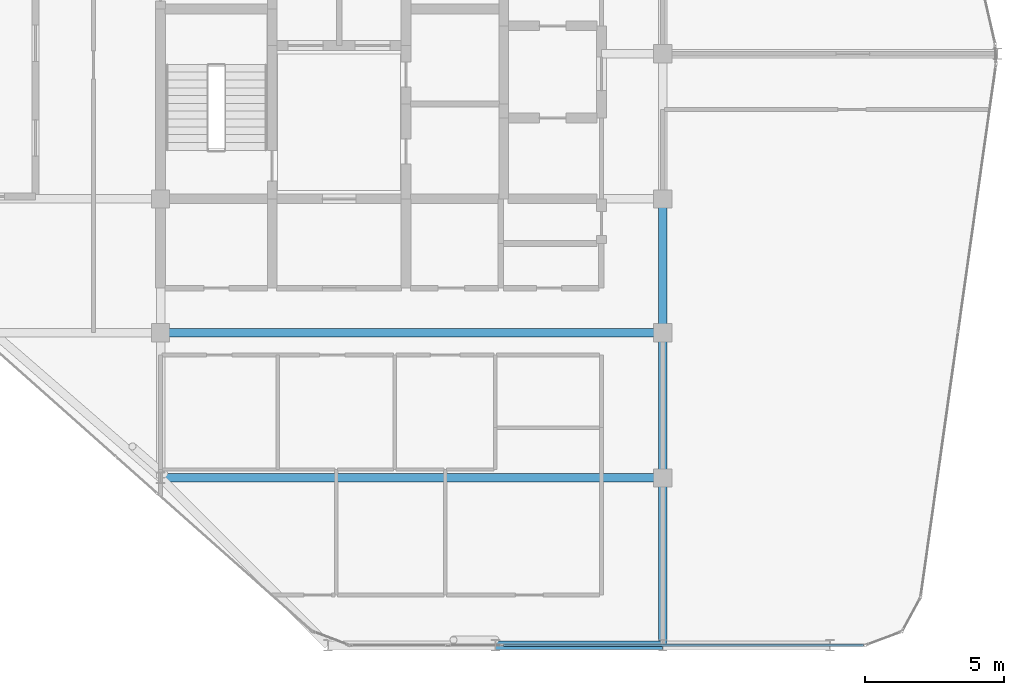
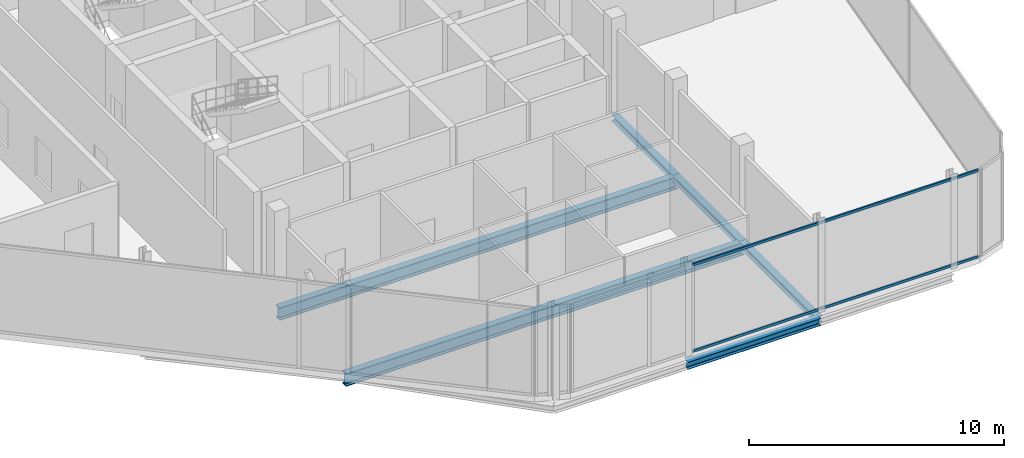
# One storey, part 6 of 24: 6 beams, 2 members, 1 element without a shape of its own.
"""IFC4 building model written with IfcOpenShell, lengths in metres."""

from ifc_helpers import new_model, si_unit, direction, frame, origin, origin_2d, place, context, subcontext, project, spatial, hollow_rectangle, i_section, extrude, material, layer, layer_set, material_profile, profile_set, type_object, element, aggregate, save


model = new_model("IFC4")

# Units and contexts
model_context = context("Model", 3, precision=1e-05, world=origin(), true_north=direction((0.0, 1.0)))
body_context = subcontext(model_context, "Body", "Model", "MODEL_VIEW")
ifc_project = project(units=[si_unit("LENGTHUNIT", "METRE"), si_unit("AREAUNIT", "SQUARE_METRE"), si_unit("VOLUMEUNIT", "CUBIC_METRE"), si_unit("PLANEANGLEUNIT", "RADIAN"), si_unit("MASSUNIT", "GRAM", prefix="KILO")], contexts=[model_context])

# Site, building, storey
site_placement = place(None, origin())
site = spatial("IfcSite", under=ifc_project, at=site_placement, CompositionType="ELEMENT")
building_placement = place(site_placement, origin())
building = spatial("IfcBuilding", under=site, at=building_placement, Name="Keshet Zoharim Tower", CompositionType="ELEMENT")
storey_placement = place(building_placement, frame((0.0, 0.0, 299.10009765625)))
storey = spatial("IfcBuildingStorey", under=building, at=storey_placement, Name="L75", CompositionType="ELEMENT", Elevation=299.10009765625)

# Beams
ifc_material_1 = material(Name="Steel S355", Category="steel")
ifc_material_profile_1 = material_profile(ifc_material_1, i_section(OverallWidth=0.300048828125, OverallDepth=0.60009765625, WebThickness=0.015380859375, FlangeThickness=0.030029296875, FilletRadius=0.027099609375, at=origin_2d()), Name="HEB600")
ifc_profile_set_1 = profile_set([ifc_material_profile_1], Name="Steel S355")
beam_type_1 = type_object("IfcBeamType", Name="BM-LNG-HB600", PredefinedType="BEAM", material=ifc_profile_set_1)
for number, where, z_axis, x_axis, name in (
    (1, (15.0, 12.699951171875, -0.6201171875), (1.0, 0.0, 0.0), (0.0, 1.0, 0.0), "L75 Primary Girder X-004"),
    (2, (15.0, 17.89990234375, -0.6201171875), (1.0, 0.0, 0.0), (0.0, 1.0, 0.0), "L75 Primary Girder X-006"),
):
    element("IfcBeam", number, at=place(storey_placement, frame(where, z_axis=z_axis, x_axis=x_axis)), inside=storey, type_object=beam_type_1, Name=name, PredefinedType="BEAM", context=body_context, shape_type="SweptSolid", body=[
        extrude(i_section(OverallWidth=0.300048828125, OverallDepth=0.60009765625, WebThickness=0.015380859375, FlangeThickness=0.030029296875, FilletRadius=0.027099609375, at=origin_2d()), origin(), (0.0, 0.0, 1.0), 18.0),
    ])
ifc_material_profile_2 = material_profile(ifc_material_1, i_section(OverallWidth=0.300048828125, OverallDepth=0.2900390625, WebThickness=0.008544921875, FlangeThickness=0.013916015625, FilletRadius=0.027099609375, at=origin_2d()), Name="HEA300")
ifc_profile_set_2 = profile_set([ifc_material_profile_2], Name="Steel S355")
beam_type_2 = type_object("IfcBeamType", Name="BM-PRI-HA300", PredefinedType="BEAM", material=ifc_profile_set_2)
beam_1_placement = place(storey_placement, frame((33.0, 6.699951171875, -0.465087890625), z_axis=(0.0, 1.0, 0.0), x_axis=(-1.0, 0.0, 0.0)))
element("IfcBeam", 3, at=beam_1_placement, inside=storey, type_object=beam_type_2, Name="L75 Primary Girder Y-003", PredefinedType="BEAM", context=body_context, shape_type="SweptSolid", body=[
    extrude(i_section(OverallWidth=0.300048828125, OverallDepth=0.2900390625, WebThickness=0.008544921875, FlangeThickness=0.013916015625, FilletRadius=0.027099609375, at=origin_2d()), origin(), (0.0, 0.0, 1.0), 6.0),
])
beam_2_placement = place(storey_placement, frame((33.0, 12.699951171875, -0.465087890625), z_axis=(0.0, 1.0, 0.0), x_axis=(-1.0, 0.0, 0.0)))
element("IfcBeam", 4, at=beam_2_placement, inside=storey, type_object=beam_type_2, Name="L75 Primary Girder Y-004", PredefinedType="BEAM", context=body_context, shape_type="SweptSolid", body=[
    extrude(i_section(OverallWidth=0.300048828125, OverallDepth=0.2900390625, WebThickness=0.008544921875, FlangeThickness=0.013916015625, FilletRadius=0.027099609375, at=origin_2d()), origin(), (0.0, 0.0, 1.0), 5.199951171875),
])
beam_3_placement = place(storey_placement, frame((33.0, 17.89990234375, -0.465087890625), z_axis=(0.0, 1.0, 0.0), x_axis=(-1.0, 0.0, 0.0)))
element("IfcBeam", 5, at=beam_3_placement, inside=storey, type_object=beam_type_2, Name="L75 Primary Girder Y-005", PredefinedType="BEAM", context=body_context, shape_type="SweptSolid", body=[
    extrude(i_section(OverallWidth=0.300048828125, OverallDepth=0.2900390625, WebThickness=0.008544921875, FlangeThickness=0.013916015625, FilletRadius=0.027099609375, at=origin_2d()), origin(), (0.0, 0.0, 1.0), 4.800048828125),
])
ifc_material_profile_3 = material_profile(ifc_material_1, i_section(OverallWidth=0.300048828125, OverallDepth=0.35009765625, WebThickness=0.010009765625, FlangeThickness=0.017578125, FilletRadius=0.027099609375, at=origin_2d()), Name="HEA360")
ifc_profile_set_3 = profile_set([ifc_material_profile_3], Name="Steel S355")
beam_type_3 = type_object("IfcBeamType", Name="BM-PRI-HA360", PredefinedType="BEAM", material=ifc_profile_set_3)
beam_4_placement = place(storey_placement, frame((27.0, 6.699951171875, -0.4951171875), z_axis=(1.0, 0.0, 0.0), x_axis=(0.0, 1.0, 0.0)))
element("IfcBeam", 6, at=beam_4_placement, inside=storey, type_object=beam_type_3, Name="L75 Primary Girder X-002", PredefinedType="BEAM", context=body_context, shape_type="SweptSolid", body=[
    extrude(i_section(OverallWidth=0.300048828125, OverallDepth=0.35009765625, WebThickness=0.010009765625, FlangeThickness=0.017578125, FilletRadius=0.027099609375, at=origin_2d()), origin(), (0.0, 0.0, 1.0), 6.0),
])

# Curtain wall, members
ifc_material_2 = material(Name="Aluminium 6063-T6", Category="aluminium")
ifc_layer = layer(ifc_material_2, 0.260009765625)
ifc_layer_set = layer_set([ifc_layer], Name="Aluminium 6063-T6")
curtain_wall_type = type_object("IfcCurtainWallType", Name="CW-SYS-06", PredefinedType="NOTDEFINED", material=ifc_layer_set)
curtain_wall_placement = place(storey_placement, origin())
curtain_wall = element("IfcCurtainWall", 7, at=curtain_wall_placement, inside=storey, type_object=curtain_wall_type, Name="L75 Unitised Curtain Wall 12", PredefinedType="NOTDEFINED")
ifc_material_profile_4 = material_profile(ifc_material_2, hollow_rectangle(XDim=0.074951171875, YDim=0.1201171875, WallThickness=0.00390625, at=origin_2d()), Name="TRN-75x120")
ifc_profile_set_4 = profile_set([ifc_material_profile_4], Name="Aluminium 6063-T6")
member_type = type_object("IfcMemberType", Name="CWT-T12", PredefinedType="USERDEFINED", material=ifc_profile_set_4)
member_1_placement = place(storey_placement, frame((40.193115234375, 6.699951171875, 0.034912109375), z_axis=(-1.0, 0.0, 0.0), x_axis=(0.0, -1.0, 0.0)))
member_1 = element("IfcMember", 8, at=member_1_placement, type_object=member_type, Name="CW-06 transom 1.1", ObjectType="TRANSOM", PredefinedType="USERDEFINED", context=body_context, shape_type="SweptSolid", body=[
    extrude(hollow_rectangle(XDim=0.074951171875, YDim=0.1201171875, WallThickness=0.00390625, at=origin_2d()), origin(), (0.0, 0.0, 1.0), 12.89453125),
])
member_2_placement = place(storey_placement, frame((40.193115234375, 6.699951171875, 4.15478515625), z_axis=(-1.0, 0.0, 0.0), x_axis=(0.0, -1.0, 0.0)))
member_2 = element("IfcMember", 9, at=member_2_placement, type_object=member_type, Name="CW-06 transom 1.2", ObjectType="TRANSOM", PredefinedType="USERDEFINED", context=body_context, shape_type="SweptSolid", body=[
    extrude(hollow_rectangle(XDim=0.074951171875, YDim=0.1201171875, WallThickness=0.00390625, at=origin_2d()), origin(), (0.0, 0.0, 1.0), 12.89453125),
])
aggregate(curtain_wall, [member_1, member_2])

save(model, "model.ifc")
